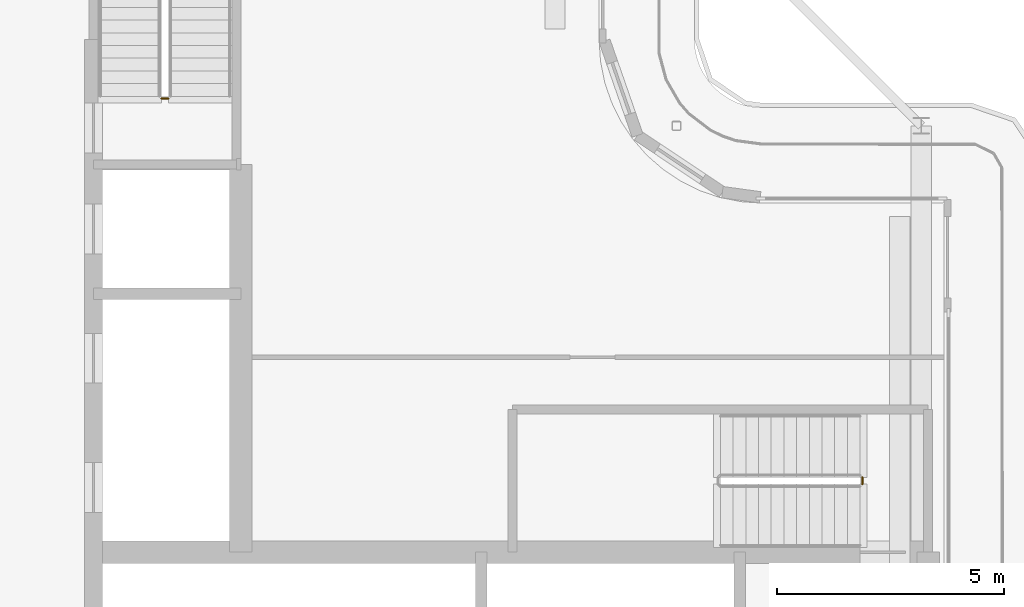
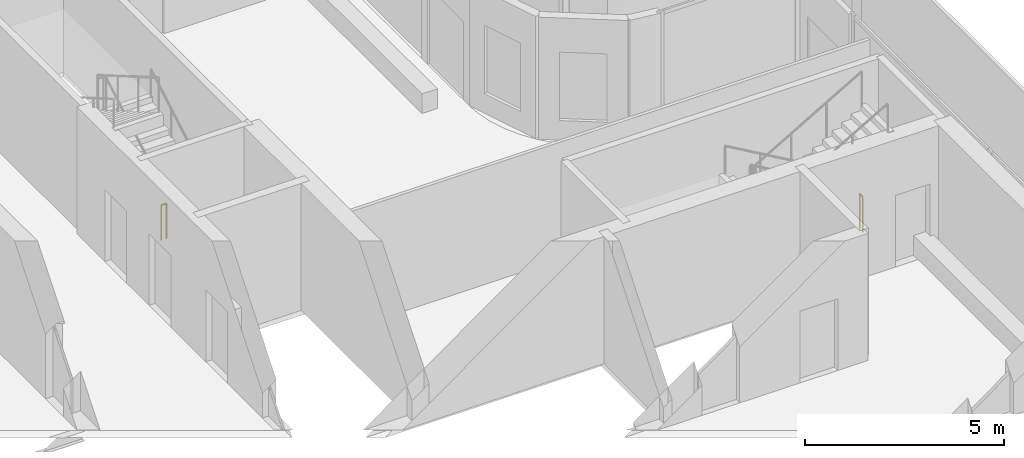
# One storey, part 14 of 19: 2 railings.
"""IFC4 building model written with IfcOpenShell, lengths in metres."""

from ifc_helpers import new_model, si_unit, direction, frame, origin, origin_2d, place, context, subcontext, project, spatial, circle, extrude, material, type_object, element, save


model = new_model("IFC4")

# Units and contexts
model_context = context("Model", 3, precision=1e-05, world=origin(), true_north=direction((0.0, 1.0)))
body_context = subcontext(model_context, "Body", "Model", "MODEL_VIEW")
ifc_project = project(units=[si_unit("LENGTHUNIT", "METRE"), si_unit("AREAUNIT", "SQUARE_METRE"), si_unit("VOLUMEUNIT", "CUBIC_METRE"), si_unit("PLANEANGLEUNIT", "RADIAN"), si_unit("MASSUNIT", "GRAM", prefix="KILO")], contexts=[model_context])

# Site, building, storey
site_placement = place(None, origin())
site = spatial("IfcSite", under=ifc_project, at=site_placement, CompositionType="ELEMENT")
building_placement = place(site_placement, origin())
building = spatial("IfcBuilding", under=site, at=building_placement, Name="Kheshtan School and Residences Tower", CompositionType="ELEMENT")
storey_placement = place(building_placement, frame((0.0, 0.0, 350.0)))
storey = spatial("IfcBuildingStorey", under=building, at=storey_placement, Name="L82", CompositionType="ELEMENT", Elevation=350.0)

# Railings
ifc_material = material(Name="Stainless steel balustrade", Category="steel")
railing_type = type_object("IfcRailingType", Name="Stair guard 1100", PredefinedType="GUARDRAIL", material=ifc_material)
railing_1_placement = place(storey_placement, frame((51.699951171875, 37.85009765625, 0.0)))
element("IfcRailing", 1, at=railing_1_placement, inside=storey, type_object=railing_type, Name="L82 ST1 stair guard 2", PredefinedType="GUARDRAIL", context=body_context, shape_type="SweptSolid", body=[
    extrude(circle(Radius=0.02392578125, at=origin_2d()), frame((0.0, 0.0, 1.076171875), z_axis=(0.0, -1.0, 0.0), x_axis=(1.0, 0.0, 0.0)), (0.0, 0.0, 1.0), 0.150146484375),
    extrude(circle(Radius=0.02099609375, at=origin_2d()), origin(), (0.0, 0.0, 1.0), 1.052001953125),
    extrude(circle(Radius=0.02099609375, at=origin_2d()), frame((0.0, -0.150146484375, 0.0)), (0.0, 0.0, 1.0), 1.052001953125),
])
railing_2_placement = place(storey_placement, frame((36.39990234375, 46.199951171875, 0.0)))
element("IfcRailing", 2, at=railing_2_placement, inside=storey, type_object=railing_type, Name="L82 ST2 stair guard 2", PredefinedType="GUARDRAIL", context=body_context, shape_type="SweptSolid", body=[
    extrude(circle(Radius=0.02392578125, at=origin_2d()), frame((0.0, 0.0, 1.076171875), z_axis=(-1.0, 0.0, 0.0), x_axis=(0.0, -1.0, 0.0)), (0.0, 0.0, 1.0), 0.14990234375),
    extrude(circle(Radius=0.02099609375, at=origin_2d()), origin(), (0.0, 0.0, 1.0), 1.052001953125),
    extrude(circle(Radius=0.02099609375, at=origin_2d()), frame((-0.14990234375, 0.0, 0.0)), (0.0, 0.0, 1.0), 1.052001953125),
])

save(model, "model.ifc")
